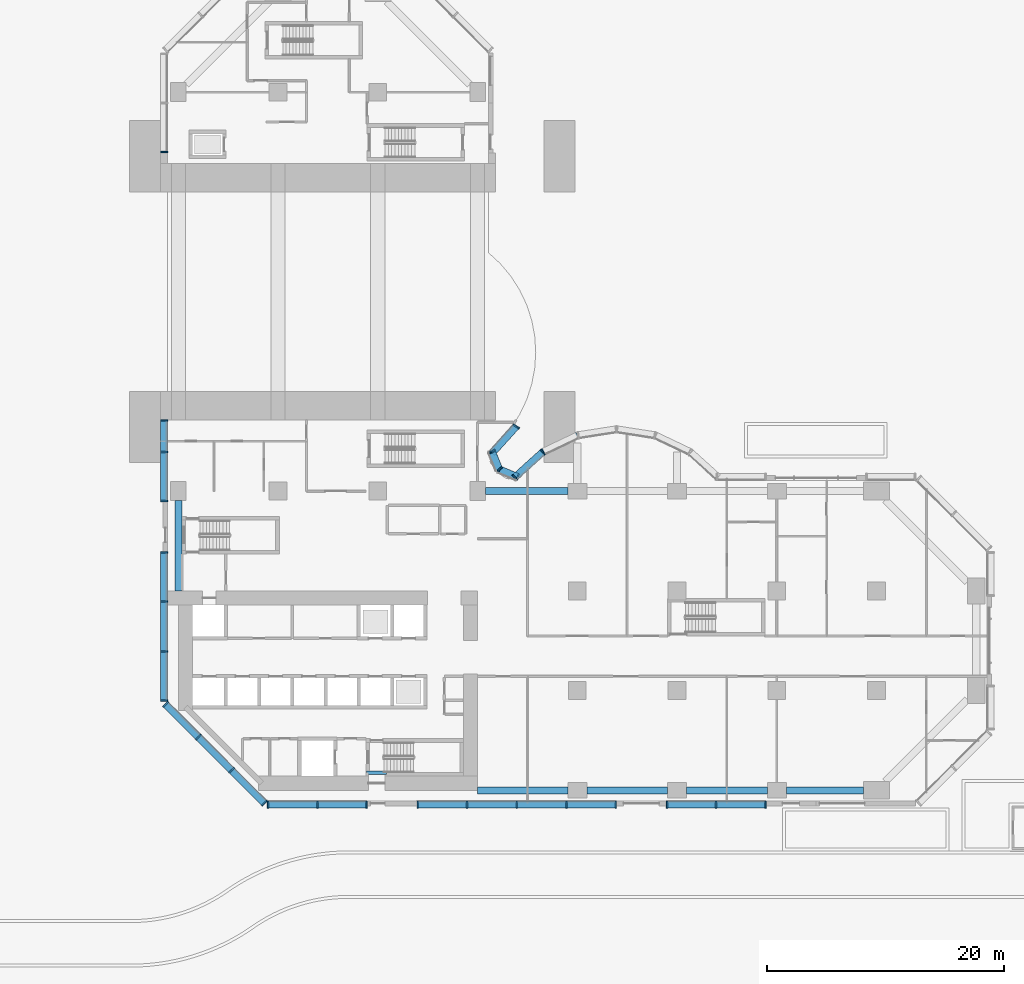
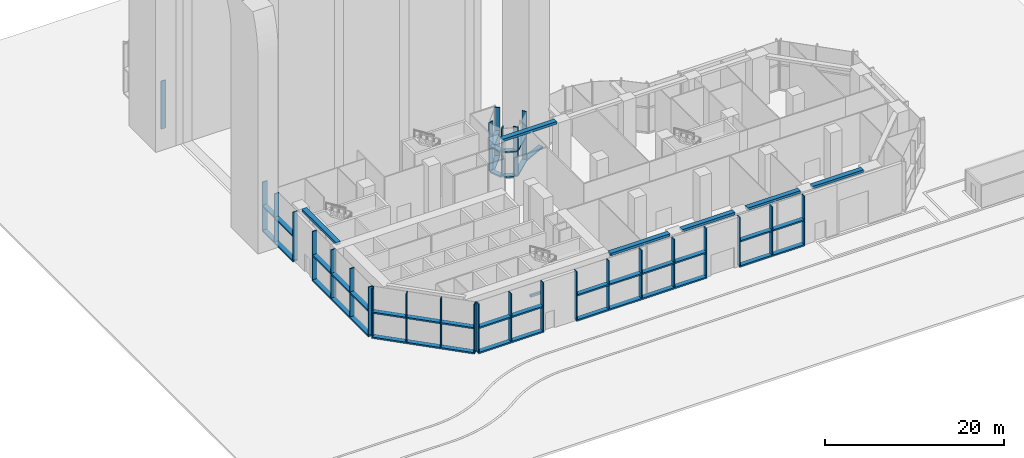
# One storey, part 2 of 21: 59 members, 7 beams, 10 elements without a shape of their own.
"""IFC4 building model written with IfcOpenShell, lengths in metres."""

from ifc_helpers import new_model, si_unit, direction, frame, origin, origin_2d, place, context, subcontext, project, spatial, rectangle, extrude, material, material_profile, profile_set, type_object, element, aggregate, save


model = new_model("IFC4")

# Units and contexts
model_context = context("Model", 3, precision=1e-05, world=origin(), true_north=direction((0.0, 1.0)))
body_context = subcontext(model_context, "Body", "Model", "MODEL_VIEW")
ifc_project = project(units=[si_unit("LENGTHUNIT", "METRE"), si_unit("AREAUNIT", "SQUARE_METRE"), si_unit("VOLUMEUNIT", "CUBIC_METRE"), si_unit("PLANEANGLEUNIT", "RADIAN"), si_unit("MASSUNIT", "GRAM", prefix="KILO")], contexts=[model_context])

# Site, building, storey
site_placement = place(None, origin())
site = spatial("IfcSite", under=ifc_project, at=site_placement, CompositionType="ELEMENT")
building_placement = place(site_placement, origin())
building = spatial("IfcBuilding", under=site, at=building_placement, Name="Brevane Broadcast Tower", CompositionType="ELEMENT")
storey_placement = place(building_placement, origin())
storey = spatial("IfcBuildingStorey", under=building, at=storey_placement, Name="L00", CompositionType="ELEMENT", Elevation=0.0)

# Curtain wall, members
ifc_material_1 = material(Name="Aluminium 6063-T6 bronze anodised", Category="aluminium")
curtain_wall_type = type_object("IfcCurtainWallType", Name="CW-6 curtain wall", PredefinedType="NOTDEFINED", material=ifc_material_1)
curtain_wall_1_placement = place(storey_placement, origin())
curtain_wall_1 = element("IfcCurtainWall", 1, at=curtain_wall_1_placement, inside=storey, type_object=curtain_wall_type, Name="CW-6 ground storey storefront unit L00 south face", PredefinedType="NOTDEFINED")
ifc_material_profile_1 = material_profile(ifc_material_1, rectangle(XDim=0.60009765625, YDim=0.1201171875, at=origin_2d()), Name="RECT 120x600")
ifc_profile_set_1 = profile_set([ifc_material_profile_1], Name="Aluminium 6063-T6 bronze anodised")
member_type_1 = type_object("IfcMemberType", Name="CW-6 mullion 120x600", PredefinedType="MULLION", material=ifc_profile_set_1)
member_1_placement = place(storey_placement, frame((7.56005859375, -1.199951171875, 0.199951171875), z_axis=(0.0, 0.0, 1.0), x_axis=(0.0, 1.0, 0.0)))
member_1 = element("IfcMember", 2, at=member_1_placement, type_object=member_type_1, Name="CW-6 mullion", PredefinedType="MULLION", context=body_context, shape_type="SweptSolid", body=[
    extrude(rectangle(XDim=0.60009765625, YDim=0.1201171875, at=origin_2d()), origin(), (0.0, 0.0, 1.0), 6.550048828125),
])
member_2_placement = place(storey_placement, frame((11.699951171875, -1.199951171875, 0.199951171875), z_axis=(0.0, 0.0, 1.0), x_axis=(0.0, 1.0, 0.0)))
member_2 = element("IfcMember", 3, at=member_2_placement, type_object=member_type_1, Name="CW-6 mullion", PredefinedType="MULLION", context=body_context, shape_type="SweptSolid", body=[
    extrude(rectangle(XDim=0.60009765625, YDim=0.1201171875, at=origin_2d()), origin(), (0.0, 0.0, 1.0), 6.550048828125),
])
member_3_placement = place(storey_placement, frame((15.840087890625, -1.199951171875, 0.199951171875), z_axis=(0.0, 0.0, 1.0), x_axis=(0.0, 1.0, 0.0)))
member_3 = element("IfcMember", 4, at=member_3_placement, type_object=member_type_1, Name="CW-6 mullion", PredefinedType="MULLION", context=body_context, shape_type="SweptSolid", body=[
    extrude(rectangle(XDim=0.60009765625, YDim=0.1201171875, at=origin_2d()), origin(), (0.0, 0.0, 1.0), 6.550048828125),
])

curtain_wall_2_placement = place(storey_placement, origin())
curtain_wall_2 = element("IfcCurtainWall", 5, at=curtain_wall_2_placement, inside=storey, type_object=curtain_wall_type, Name="CW-6 ground storey storefront unit L00 south face", PredefinedType="NOTDEFINED")
member_4_placement = place(storey_placement, frame((20.159912109375, -1.199951171875, 0.199951171875), z_axis=(0.0, 0.0, 1.0), x_axis=(0.0, 1.0, 0.0)))
member_4 = element("IfcMember", 6, at=member_4_placement, type_object=member_type_1, Name="CW-6 mullion", PredefinedType="MULLION", context=body_context, shape_type="SweptSolid", body=[
    extrude(rectangle(XDim=0.60009765625, YDim=0.1201171875, at=origin_2d()), origin(), (0.0, 0.0, 1.0), 6.550048828125),
])
member_5_placement = place(storey_placement, frame((24.300048828125, -1.199951171875, 0.199951171875), z_axis=(0.0, 0.0, 1.0), x_axis=(0.0, 1.0, 0.0)))
member_5 = element("IfcMember", 7, at=member_5_placement, type_object=member_type_1, Name="CW-6 mullion", PredefinedType="MULLION", context=body_context, shape_type="SweptSolid", body=[
    extrude(rectangle(XDim=0.60009765625, YDim=0.1201171875, at=origin_2d()), origin(), (0.0, 0.0, 1.0), 6.550048828125),
])
member_6_placement = place(storey_placement, frame((28.5, -1.199951171875, 0.199951171875), z_axis=(0.0, 0.0, 1.0), x_axis=(0.0, 1.0, 0.0)))
member_6 = element("IfcMember", 8, at=member_6_placement, type_object=member_type_1, Name="CW-6 mullion", PredefinedType="MULLION", context=body_context, shape_type="SweptSolid", body=[
    extrude(rectangle(XDim=0.60009765625, YDim=0.1201171875, at=origin_2d()), origin(), (0.0, 0.0, 1.0), 6.550048828125),
])
member_7_placement = place(storey_placement, frame((32.699951171875, -1.199951171875, 0.199951171875), z_axis=(0.0, 0.0, 1.0), x_axis=(0.0, 1.0, 0.0)))
member_7 = element("IfcMember", 9, at=member_7_placement, type_object=member_type_1, Name="CW-6 mullion", PredefinedType="MULLION", context=body_context, shape_type="SweptSolid", body=[
    extrude(rectangle(XDim=0.60009765625, YDim=0.1201171875, at=origin_2d()), origin(), (0.0, 0.0, 1.0), 6.550048828125),
])
member_8_placement = place(storey_placement, frame((36.840087890625, -1.199951171875, 0.199951171875), z_axis=(0.0, 0.0, 1.0), x_axis=(0.0, 1.0, 0.0)))
member_8 = element("IfcMember", 10, at=member_8_placement, type_object=member_type_1, Name="CW-6 mullion", PredefinedType="MULLION", context=body_context, shape_type="SweptSolid", body=[
    extrude(rectangle(XDim=0.60009765625, YDim=0.1201171875, at=origin_2d()), origin(), (0.0, 0.0, 1.0), 6.550048828125),
])

curtain_wall_3_placement = place(storey_placement, origin())
curtain_wall_3 = element("IfcCurtainWall", 11, at=curtain_wall_3_placement, inside=storey, type_object=curtain_wall_type, Name="CW-6 ground storey storefront unit L00 south face", PredefinedType="NOTDEFINED")
member_9_placement = place(storey_placement, frame((41.159912109375, -1.199951171875, 0.199951171875), z_axis=(0.0, 0.0, 1.0), x_axis=(0.0, 1.0, 0.0)))
member_9 = element("IfcMember", 12, at=member_9_placement, type_object=member_type_1, Name="CW-6 mullion", PredefinedType="MULLION", context=body_context, shape_type="SweptSolid", body=[
    extrude(rectangle(XDim=0.60009765625, YDim=0.1201171875, at=origin_2d()), origin(), (0.0, 0.0, 1.0), 6.550048828125),
])
member_10_placement = place(storey_placement, frame((45.300048828125, -1.199951171875, 0.199951171875), z_axis=(0.0, 0.0, 1.0), x_axis=(0.0, 1.0, 0.0)))
member_10 = element("IfcMember", 13, at=member_10_placement, type_object=member_type_1, Name="CW-6 mullion", PredefinedType="MULLION", context=body_context, shape_type="SweptSolid", body=[
    extrude(rectangle(XDim=0.60009765625, YDim=0.1201171875, at=origin_2d()), origin(), (0.0, 0.0, 1.0), 6.550048828125),
])
member_11_placement = place(storey_placement, frame((49.43994140625, -1.199951171875, 0.199951171875), z_axis=(0.0, 0.0, 1.0), x_axis=(0.0, 1.0, 0.0)))
member_11 = element("IfcMember", 14, at=member_11_placement, type_object=member_type_1, Name="CW-6 mullion", PredefinedType="MULLION", context=body_context, shape_type="SweptSolid", body=[
    extrude(rectangle(XDim=0.60009765625, YDim=0.1201171875, at=origin_2d()), origin(), (0.0, 0.0, 1.0), 6.550048828125),
])

curtain_wall_4_placement = place(storey_placement, origin())
curtain_wall_4 = element("IfcCurtainWall", 15, at=curtain_wall_4_placement, inside=storey, type_object=curtain_wall_type, Name="CW-6 ground storey storefront unit L00 east bow", PredefinedType="NOTDEFINED")
member_12_placement = place(storey_placement, frame((30.700927734375, 28.488525390625, 0.199951171875), z_axis=(0.0, 0.0, 1.0), x_axis=(0.555997481379, -0.831183975243, 0.0)))
member_12 = element("IfcMember", 16, at=member_12_placement, type_object=member_type_1, Name="CW-6 mullion", PredefinedType="MULLION", context=body_context, shape_type="SweptSolid", body=[
    extrude(rectangle(XDim=0.60009765625, YDim=0.1201171875, at=origin_2d()), origin(), (0.0, 0.0, 1.0), 6.550048828125),
])
member_13_placement = place(storey_placement, frame((28.343505859375, 26.36279296875, 0.199951171875), z_axis=(0.0, 0.0, 1.0), x_axis=(0.670368934758, -0.742027958578, 0.0)))
member_13 = element("IfcMember", 17, at=member_13_placement, type_object=member_type_1, Name="CW-6 mullion", PredefinedType="MULLION", context=body_context, shape_type="SweptSolid", body=[
    extrude(rectangle(XDim=0.60009765625, YDim=0.1201171875, at=origin_2d()), origin(), (0.0, 0.0, 1.0), 6.550048828125),
])

curtain_wall_5_placement = place(storey_placement, origin())
curtain_wall_5 = element("IfcCurtainWall", 18, at=curtain_wall_5_placement, inside=storey, type_object=curtain_wall_type, Name="CW-6 ground storey storefront unit L00 inner corner", PredefinedType="NOTDEFINED")
member_14_placement = place(storey_placement, frame((27.01513671875, 27.01513671875, 0.199951171875), z_axis=(0.0, 0.0, 1.0), x_axis=(-0.707106781187, -0.707106781187, 0.0)))
member_14 = element("IfcMember", 19, at=member_14_placement, type_object=member_type_1, Name="CW-6 mullion", PredefinedType="MULLION", context=body_context, shape_type="SweptSolid", body=[
    extrude(rectangle(XDim=0.60009765625, YDim=0.1201171875, at=origin_2d()), origin(), (0.0, 0.0, 1.0), 6.550048828125),
])
member_15_placement = place(storey_placement, frame((26.400146484375, 28.559326171875, 0.199951171875), z_axis=(0.0, 0.0, 1.0), x_axis=(-0.923879457699, -0.382683612978, 0.0)))
member_15 = element("IfcMember", 20, at=member_15_placement, type_object=member_type_1, Name="CW-6 mullion", PredefinedType="MULLION", context=body_context, shape_type="SweptSolid", body=[
    extrude(rectangle(XDim=0.60009765625, YDim=0.1201171875, at=origin_2d()), origin(), (0.0, 0.0, 1.0), 6.550048828125),
])

# Curtain wall, member
curtain_wall_6_placement = place(storey_placement, origin())
curtain_wall_6 = element("IfcCurtainWall", 21, at=curtain_wall_6_placement, inside=storey, type_object=curtain_wall_type, Name="CW-6 ground storey storefront unit L00 north bow", PredefinedType="NOTDEFINED")
member_16_placement = place(storey_placement, frame((28.455078125, 30.651123046875, 0.199951171875), z_axis=(0.0, 0.0, 1.0), x_axis=(-0.831183975243, 0.555997481379, 0.0)))
member_16 = element("IfcMember", 22, at=member_16_placement, type_object=member_type_1, Name="CW-6 mullion", PredefinedType="MULLION", context=body_context, shape_type="SweptSolid", body=[
    extrude(rectangle(XDim=0.60009765625, YDim=0.1201171875, at=origin_2d()), origin(), (0.0, 0.0, 1.0), 6.550048828125),
])

curtain_wall_7_placement = place(storey_placement, origin())
curtain_wall_7 = element("IfcCurtainWall", 23, at=curtain_wall_7_placement, inside=storey, type_object=curtain_wall_type, Name="CW-6 ground storey storefront unit L00 west face", PredefinedType="NOTDEFINED")
member_17_placement = place(storey_placement, frame((-1.199951171875, 53.760009765625, 0.199951171875), z_axis=(0.0, 0.0, 1.0), x_axis=(1.0, 0.0, 0.0)))
member_17 = element("IfcMember", 24, at=member_17_placement, type_object=member_type_1, Name="CW-6 mullion", PredefinedType="MULLION", context=body_context, shape_type="SweptSolid", body=[
    extrude(rectangle(XDim=0.60009765625, YDim=0.1201171875, at=origin_2d()), origin(), (0.0, 0.0, 1.0), 6.550048828125),
])
aggregate(curtain_wall_7, [member_17])

# Curtain wall, members
curtain_wall_8_placement = place(storey_placement, origin())
curtain_wall_8 = element("IfcCurtainWall", 25, at=curtain_wall_8_placement, inside=storey, type_object=curtain_wall_type, Name="CW-6 ground storey storefront unit L00 west face", PredefinedType="NOTDEFINED")
member_18_placement = place(storey_placement, frame((-1.199951171875, 31.139892578125, 0.199951171875), z_axis=(0.0, 0.0, 1.0), x_axis=(1.0, 0.0, 0.0)))
member_18 = element("IfcMember", 26, at=member_18_placement, type_object=member_type_1, Name="CW-6 mullion", PredefinedType="MULLION", context=body_context, shape_type="SweptSolid", body=[
    extrude(rectangle(XDim=0.60009765625, YDim=0.1201171875, at=origin_2d()), origin(), (0.0, 0.0, 1.0), 6.550048828125),
])
member_19_placement = place(storey_placement, frame((-1.199951171875, 28.5, 0.199951171875), z_axis=(0.0, 0.0, 1.0), x_axis=(1.0, 0.0, 0.0)))
member_19 = element("IfcMember", 27, at=member_19_placement, type_object=member_type_1, Name="CW-6 mullion", PredefinedType="MULLION", context=body_context, shape_type="SweptSolid", body=[
    extrude(rectangle(XDim=0.60009765625, YDim=0.1201171875, at=origin_2d()), origin(), (0.0, 0.0, 1.0), 6.550048828125),
])
member_20_placement = place(storey_placement, frame((-1.199951171875, 24.360107421875, 0.199951171875), z_axis=(0.0, 0.0, 1.0), x_axis=(1.0, 0.0, 0.0)))
member_20 = element("IfcMember", 28, at=member_20_placement, type_object=member_type_1, Name="CW-6 mullion", PredefinedType="MULLION", context=body_context, shape_type="SweptSolid", body=[
    extrude(rectangle(XDim=0.60009765625, YDim=0.1201171875, at=origin_2d()), origin(), (0.0, 0.0, 1.0), 6.550048828125),
])

curtain_wall_9_placement = place(storey_placement, origin())
curtain_wall_9 = element("IfcCurtainWall", 29, at=curtain_wall_9_placement, inside=storey, type_object=curtain_wall_type, Name="CW-6 ground storey storefront unit L00 west face", PredefinedType="NOTDEFINED")
member_21_placement = place(storey_placement, frame((-1.199951171875, 20.0400390625, 0.199951171875), z_axis=(0.0, 0.0, 1.0), x_axis=(1.0, 0.0, 0.0)))
member_21 = element("IfcMember", 30, at=member_21_placement, type_object=member_type_1, Name="CW-6 mullion", PredefinedType="MULLION", context=body_context, shape_type="SweptSolid", body=[
    extrude(rectangle(XDim=0.60009765625, YDim=0.1201171875, at=origin_2d()), origin(), (0.0, 0.0, 1.0), 6.550048828125),
])
member_22_placement = place(storey_placement, frame((-1.199951171875, 15.89990234375, 0.199951171875), z_axis=(0.0, 0.0, 1.0), x_axis=(1.0, 0.0, 0.0)))
member_22 = element("IfcMember", 31, at=member_22_placement, type_object=member_type_1, Name="CW-6 mullion", PredefinedType="MULLION", context=body_context, shape_type="SweptSolid", body=[
    extrude(rectangle(XDim=0.60009765625, YDim=0.1201171875, at=origin_2d()), origin(), (0.0, 0.0, 1.0), 6.550048828125),
])
member_23_placement = place(storey_placement, frame((-1.199951171875, 11.699951171875, 0.199951171875), z_axis=(0.0, 0.0, 1.0), x_axis=(1.0, 0.0, 0.0)))
member_23 = element("IfcMember", 32, at=member_23_placement, type_object=member_type_1, Name="CW-6 mullion", PredefinedType="MULLION", context=body_context, shape_type="SweptSolid", body=[
    extrude(rectangle(XDim=0.60009765625, YDim=0.1201171875, at=origin_2d()), origin(), (0.0, 0.0, 1.0), 6.550048828125),
])
member_24_placement = place(storey_placement, frame((-1.199951171875, 7.56005859375, 0.199951171875), z_axis=(0.0, 0.0, 1.0), x_axis=(1.0, 0.0, 0.0)))
member_24 = element("IfcMember", 33, at=member_24_placement, type_object=member_type_1, Name="CW-6 mullion", PredefinedType="MULLION", context=body_context, shape_type="SweptSolid", body=[
    extrude(rectangle(XDim=0.60009765625, YDim=0.1201171875, at=origin_2d()), origin(), (0.0, 0.0, 1.0), 6.550048828125),
])

curtain_wall_10_placement = place(storey_placement, origin())
curtain_wall_10 = element("IfcCurtainWall", 34, at=curtain_wall_10_placement, inside=storey, type_object=curtain_wall_type, Name="CW-6 ground storey storefront unit L00 south-west chamfer", PredefinedType="NOTDEFINED")
member_25_placement = place(storey_placement, frame((-1.06982421875, 7.245361328125, 0.199951171875), z_axis=(0.0, 0.0, 1.0), x_axis=(0.707106781187, 0.707106781187, 0.0)))
member_25 = element("IfcMember", 35, at=member_25_placement, type_object=member_type_1, Name="CW-6 mullion", PredefinedType="MULLION", context=body_context, shape_type="SweptSolid", body=[
    extrude(rectangle(XDim=0.60009765625, YDim=0.1201171875, at=origin_2d()), origin(), (0.0, 0.0, 1.0), 6.550048828125),
])
member_26_placement = place(storey_placement, frame((1.68798828125, 4.48779296875, 0.199951171875), z_axis=(0.0, 0.0, 1.0), x_axis=(0.707106781187, 0.707106781187, 0.0)))
member_26 = element("IfcMember", 36, at=member_26_placement, type_object=member_type_1, Name="CW-6 mullion", PredefinedType="MULLION", context=body_context, shape_type="SweptSolid", body=[
    extrude(rectangle(XDim=0.60009765625, YDim=0.1201171875, at=origin_2d()), origin(), (0.0, 0.0, 1.0), 6.550048828125),
])
member_27_placement = place(storey_placement, frame((4.48779296875, 1.68798828125, 0.199951171875), z_axis=(0.0, 0.0, 1.0), x_axis=(0.707106781187, 0.707106781187, 0.0)))
member_27 = element("IfcMember", 37, at=member_27_placement, type_object=member_type_1, Name="CW-6 mullion", PredefinedType="MULLION", context=body_context, shape_type="SweptSolid", body=[
    extrude(rectangle(XDim=0.60009765625, YDim=0.1201171875, at=origin_2d()), origin(), (0.0, 0.0, 1.0), 6.550048828125),
])
member_28_placement = place(storey_placement, frame((7.245361328125, -1.06982421875, 0.199951171875), z_axis=(0.0, 0.0, 1.0), x_axis=(0.707106781187, 0.707106781187, 0.0)))
member_28 = element("IfcMember", 38, at=member_28_placement, type_object=member_type_1, Name="CW-6 mullion", PredefinedType="MULLION", context=body_context, shape_type="SweptSolid", body=[
    extrude(rectangle(XDim=0.60009765625, YDim=0.1201171875, at=origin_2d()), origin(), (0.0, 0.0, 1.0), 6.550048828125),
])

# Member
ifc_material_profile_2 = material_profile(ifc_material_1, rectangle(XDim=0.60009765625, YDim=0.199951171875, at=origin_2d()), Name="RECT 200x600")
ifc_profile_set_2 = profile_set([ifc_material_profile_2], Name="Aluminium 6063-T6 bronze anodised")
member_type_2 = type_object("IfcMemberType", Name="CW-6 transom 200x600", PredefinedType="USERDEFINED", material=ifc_profile_set_2)
member_29_placement = place(storey_placement, frame((7.5, -1.199951171875, 0.10009765625), z_axis=(1.0, 0.0, 0.0), x_axis=(0.0, 1.0, 0.0)))
member_29 = element("IfcMember", 39, at=member_29_placement, type_object=member_type_2, Name="CW-6 transom", ObjectType="TRANSOM", PredefinedType="USERDEFINED", context=body_context, shape_type="SweptSolid", body=[
    extrude(rectangle(XDim=0.60009765625, YDim=0.199951171875, at=origin_2d()), origin(), (0.0, 0.0, 1.0), 8.39990234375),
])

member_30_placement = place(storey_placement, frame((7.56005859375, -1.199951171875, 3.5), z_axis=(1.0, 0.0, 0.0), x_axis=(0.0, 1.0, 0.0)))
member_30 = element("IfcMember", 40, at=member_30_placement, type_object=member_type_2, Name="CW-6 transom", ObjectType="TRANSOM", PredefinedType="USERDEFINED", context=body_context, shape_type="SweptSolid", body=[
    extrude(rectangle(XDim=0.60009765625, YDim=0.199951171875, at=origin_2d()), origin(), (0.0, 0.0, 1.0), 4.079833984375),
])

member_31_placement = place(storey_placement, frame((11.760009765625, -1.199951171875, 3.5), z_axis=(1.0, 0.0, 0.0), x_axis=(0.0, 1.0, 0.0)))
member_31 = element("IfcMember", 41, at=member_31_placement, type_object=member_type_2, Name="CW-6 transom", ObjectType="TRANSOM", PredefinedType="USERDEFINED", context=body_context, shape_type="SweptSolid", body=[
    extrude(rectangle(XDim=0.60009765625, YDim=0.199951171875, at=origin_2d()), origin(), (0.0, 0.0, 1.0), 4.080078125),
])

aggregate(curtain_wall_1, [member_1, member_2, member_3, member_29, member_30, member_31])

member_32_placement = place(storey_placement, frame((20.10009765625, -1.199951171875, 0.10009765625), z_axis=(1.0, 0.0, 0.0), x_axis=(0.0, 1.0, 0.0)))
member_32 = element("IfcMember", 42, at=member_32_placement, type_object=member_type_2, Name="CW-6 transom", ObjectType="TRANSOM", PredefinedType="USERDEFINED", context=body_context, shape_type="SweptSolid", body=[
    extrude(rectangle(XDim=0.60009765625, YDim=0.199951171875, at=origin_2d()), origin(), (0.0, 0.0, 1.0), 16.7998046875),
])

member_33_placement = place(storey_placement, frame((20.159912109375, -1.199951171875, 3.5), z_axis=(1.0, 0.0, 0.0), x_axis=(0.0, 1.0, 0.0)))
member_33 = element("IfcMember", 43, at=member_33_placement, type_object=member_type_2, Name="CW-6 transom", ObjectType="TRANSOM", PredefinedType="USERDEFINED", context=body_context, shape_type="SweptSolid", body=[
    extrude(rectangle(XDim=0.60009765625, YDim=0.199951171875, at=origin_2d()), origin(), (0.0, 0.0, 1.0), 4.080078125),
])

member_34_placement = place(storey_placement, frame((24.360107421875, -1.199951171875, 3.5), z_axis=(1.0, 0.0, 0.0), x_axis=(0.0, 1.0, 0.0)))
member_34 = element("IfcMember", 44, at=member_34_placement, type_object=member_type_2, Name="CW-6 transom", ObjectType="TRANSOM", PredefinedType="USERDEFINED", context=body_context, shape_type="SweptSolid", body=[
    extrude(rectangle(XDim=0.60009765625, YDim=0.199951171875, at=origin_2d()), origin(), (0.0, 0.0, 1.0), 4.079833984375),
])

member_35_placement = place(storey_placement, frame((28.56005859375, -1.199951171875, 3.5), z_axis=(1.0, 0.0, 0.0), x_axis=(0.0, 1.0, 0.0)))
member_35 = element("IfcMember", 45, at=member_35_placement, type_object=member_type_2, Name="CW-6 transom", ObjectType="TRANSOM", PredefinedType="USERDEFINED", context=body_context, shape_type="SweptSolid", body=[
    extrude(rectangle(XDim=0.60009765625, YDim=0.199951171875, at=origin_2d()), origin(), (0.0, 0.0, 1.0), 4.079833984375),
])

member_36_placement = place(storey_placement, frame((32.760009765625, -1.199951171875, 3.5), z_axis=(1.0, 0.0, 0.0), x_axis=(0.0, 1.0, 0.0)))
member_36 = element("IfcMember", 46, at=member_36_placement, type_object=member_type_2, Name="CW-6 transom", ObjectType="TRANSOM", PredefinedType="USERDEFINED", context=body_context, shape_type="SweptSolid", body=[
    extrude(rectangle(XDim=0.60009765625, YDim=0.199951171875, at=origin_2d()), origin(), (0.0, 0.0, 1.0), 4.080078125),
])

aggregate(curtain_wall_2, [member_4, member_5, member_6, member_7, member_8, member_32, member_33, member_34, member_35, member_36])

member_37_placement = place(storey_placement, frame((41.10009765625, -1.199951171875, 0.10009765625), z_axis=(1.0, 0.0, 0.0), x_axis=(0.0, 1.0, 0.0)))
member_37 = element("IfcMember", 47, at=member_37_placement, type_object=member_type_2, Name="CW-6 transom", ObjectType="TRANSOM", PredefinedType="USERDEFINED", context=body_context, shape_type="SweptSolid", body=[
    extrude(rectangle(XDim=0.60009765625, YDim=0.199951171875, at=origin_2d()), origin(), (0.0, 0.0, 1.0), 8.39990234375),
])

member_38_placement = place(storey_placement, frame((41.159912109375, -1.199951171875, 3.5), z_axis=(1.0, 0.0, 0.0), x_axis=(0.0, 1.0, 0.0)))
member_38 = element("IfcMember", 48, at=member_38_placement, type_object=member_type_2, Name="CW-6 transom", ObjectType="TRANSOM", PredefinedType="USERDEFINED", context=body_context, shape_type="SweptSolid", body=[
    extrude(rectangle(XDim=0.60009765625, YDim=0.199951171875, at=origin_2d()), origin(), (0.0, 0.0, 1.0), 4.080078125),
])

member_39_placement = place(storey_placement, frame((45.360107421875, -1.199951171875, 3.5), z_axis=(1.0, 0.0, 0.0), x_axis=(0.0, 1.0, 0.0)))
member_39 = element("IfcMember", 49, at=member_39_placement, type_object=member_type_2, Name="CW-6 transom", ObjectType="TRANSOM", PredefinedType="USERDEFINED", context=body_context, shape_type="SweptSolid", body=[
    extrude(rectangle(XDim=0.60009765625, YDim=0.199951171875, at=origin_2d()), origin(), (0.0, 0.0, 1.0), 4.079833984375),
])

aggregate(curtain_wall_3, [member_9, member_10, member_11, member_37, member_38, member_39])

member_40_placement = place(storey_placement, frame((33.617919921875, 29.880859375, 0.10009765625), z_axis=(-0.902881745307, -0.429889001942, 0.0), x_axis=(0.429889001942, -0.902881745307, 0.0)))
member_40 = element("IfcMember", 50, at=member_40_placement, type_object=member_type_2, Name="CW-6 transom", ObjectType="TRANSOM", PredefinedType="USERDEFINED", context=body_context, shape_type="SweptSolid", body=[
    extrude(rectangle(XDim=0.60009765625, YDim=0.199951171875, at=origin_2d()), origin(), (0.0, 0.0, 1.0), 3.18896484375),
])

member_41_placement = place(storey_placement, frame((30.6748046875, 28.468994140625, 0.10009765625), z_axis=(-0.742007303722, -0.670391796805, 0.0), x_axis=(0.670391796805, -0.742007303722, 0.0)))
member_41 = element("IfcMember", 51, at=member_41_placement, type_object=member_type_2, Name="CW-6 transom", ObjectType="TRANSOM", PredefinedType="USERDEFINED", context=body_context, shape_type="SweptSolid", body=[
    extrude(rectangle(XDim=0.60009765625, YDim=0.199951171875, at=origin_2d()), origin(), (0.0, 0.0, 1.0), 3.040771484375),
])

member_42_placement = place(storey_placement, frame((30.63037109375, 28.4287109375, 3.5), z_axis=(-0.742012070199, -0.670386521105, 0.0), x_axis=(0.670386521105, -0.742012070199, 0.0)))
member_42 = element("IfcMember", 52, at=member_42_placement, type_object=member_type_2, Name="CW-6 transom", ObjectType="TRANSOM", PredefinedType="USERDEFINED", context=body_context, shape_type="SweptSolid", body=[
    extrude(rectangle(XDim=0.60009765625, YDim=0.199951171875, at=origin_2d()), origin(), (0.0, 0.0, 1.0), 3.071044921875),
])

aggregate(curtain_wall_4, [member_12, member_13, member_40, member_41, member_42])

member_43_placement = place(storey_placement, frame((28.528076171875, 26.40673828125, 0.10009765625), z_axis=(-0.923883243627, 0.382674472816, 0.0), x_axis=(-0.382674472816, -0.923883243627, 0.0)))
member_43 = element("IfcMember", 53, at=member_43_placement, type_object=member_type_2, Name="CW-6 transom", ObjectType="TRANSOM", PredefinedType="USERDEFINED", context=body_context, shape_type="SweptSolid", body=[
    extrude(rectangle(XDim=0.60009765625, YDim=0.199951171875, at=origin_2d()), origin(), (0.0, 0.0, 1.0), 1.536865234375),
])

member_44_placement = place(storey_placement, frame((27.039794921875, 27.0, 0.10009765625), z_axis=(-0.382674472816, 0.923883243627, 0.0), x_axis=(-0.923883243627, -0.382674472816, 0.0)))
member_44 = element("IfcMember", 54, at=member_44_placement, type_object=member_type_2, Name="CW-6 transom", ObjectType="TRANSOM", PredefinedType="USERDEFINED", context=body_context, shape_type="SweptSolid", body=[
    extrude(rectangle(XDim=0.60009765625, YDim=0.199951171875, at=origin_2d()), origin(), (0.0, 0.0, 1.0), 1.536865234375),
])

member_45_placement = place(storey_placement, frame((28.611328125, 26.372314453125, 3.5), z_axis=(-0.923836568907, 0.382787139218, 0.0), x_axis=(-0.382787139218, -0.923836568907, 0.0)))
member_45 = element("IfcMember", 55, at=member_45_placement, type_object=member_type_2, Name="CW-6 transom", ObjectType="TRANSOM", PredefinedType="USERDEFINED", context=body_context, shape_type="SweptSolid", body=[
    extrude(rectangle(XDim=0.60009765625, YDim=0.199951171875, at=origin_2d()), origin(), (0.0, 0.0, 1.0), 1.717041015625),
])

member_46_placement = place(storey_placement, frame((27.07421875, 26.9169921875, 3.5), z_axis=(-0.382665770144, 0.923886848245, 0.0), x_axis=(-0.923886848245, -0.382665770144, 0.0)))
member_46 = element("IfcMember", 56, at=member_46_placement, type_object=member_type_2, Name="CW-6 transom", ObjectType="TRANSOM", PredefinedType="USERDEFINED", context=body_context, shape_type="SweptSolid", body=[
    extrude(rectangle(XDim=0.60009765625, YDim=0.199951171875, at=origin_2d()), origin(), (0.0, 0.0, 1.0), 1.716796875),
])

aggregate(curtain_wall_5, [member_14, member_15, member_43, member_44, member_45, member_46])

member_47_placement = place(storey_placement, frame((26.430419921875, 28.41845703125, 0.10009765625), z_axis=(0.670391796805, 0.742007303722, 0.0), x_axis=(-0.742007303722, 0.670391796805, 0.0)))
member_47 = element("IfcMember", 57, at=member_47_placement, type_object=member_type_2, Name="CW-6 transom", ObjectType="TRANSOM", PredefinedType="USERDEFINED", context=body_context, shape_type="SweptSolid", body=[
    extrude(rectangle(XDim=0.60009765625, YDim=0.199951171875, at=origin_2d()), origin(), (0.0, 0.0, 1.0), 3.040771484375),
])

member_48_placement = place(storey_placement, frame((26.369873046875, 28.3515625, 3.5), z_axis=(0.670386521105, 0.742012070199, 0.0), x_axis=(-0.742012070199, 0.670386521105, 0.0)))
member_48 = element("IfcMember", 58, at=member_48_placement, type_object=member_type_2, Name="CW-6 transom", ObjectType="TRANSOM", PredefinedType="USERDEFINED", context=body_context, shape_type="SweptSolid", body=[
    extrude(rectangle(XDim=0.60009765625, YDim=0.199951171875, at=origin_2d()), origin(), (0.0, 0.0, 1.0), 3.071044921875),
])

aggregate(curtain_wall_6, [member_16, member_47, member_48])

member_49_placement = place(storey_placement, frame((-1.199951171875, 31.199951171875, 0.10009765625), z_axis=(0.0, -1.0, 0.0), x_axis=(1.0, 0.0, 0.0)))
member_49 = element("IfcMember", 59, at=member_49_placement, type_object=member_type_2, Name="CW-6 transom", ObjectType="TRANSOM", PredefinedType="USERDEFINED", context=body_context, shape_type="SweptSolid", body=[
    extrude(rectangle(XDim=0.60009765625, YDim=0.199951171875, at=origin_2d()), origin(), (0.0, 0.0, 1.0), 6.89990234375),
])

member_50_placement = place(storey_placement, frame((-1.199951171875, 31.139892578125, 3.5), z_axis=(0.0, -1.0, 0.0), x_axis=(1.0, 0.0, 0.0)))
member_50 = element("IfcMember", 60, at=member_50_placement, type_object=member_type_2, Name="CW-6 transom", ObjectType="TRANSOM", PredefinedType="USERDEFINED", context=body_context, shape_type="SweptSolid", body=[
    extrude(rectangle(XDim=0.60009765625, YDim=0.199951171875, at=origin_2d()), origin(), (0.0, 0.0, 1.0), 2.579833984375),
])

member_51_placement = place(storey_placement, frame((-1.199951171875, 28.43994140625, 3.5), z_axis=(0.0, -1.0, 0.0), x_axis=(1.0, 0.0, 0.0)))
member_51 = element("IfcMember", 61, at=member_51_placement, type_object=member_type_2, Name="CW-6 transom", ObjectType="TRANSOM", PredefinedType="USERDEFINED", context=body_context, shape_type="SweptSolid", body=[
    extrude(rectangle(XDim=0.60009765625, YDim=0.199951171875, at=origin_2d()), origin(), (0.0, 0.0, 1.0), 4.079833984375),
])

aggregate(curtain_wall_8, [member_18, member_19, member_20, member_49, member_50, member_51])

member_52_placement = place(storey_placement, frame((-1.199951171875, 20.10009765625, 0.10009765625), z_axis=(0.0, -1.0, 0.0), x_axis=(1.0, 0.0, 0.0)))
member_52 = element("IfcMember", 62, at=member_52_placement, type_object=member_type_2, Name="CW-6 transom", ObjectType="TRANSOM", PredefinedType="USERDEFINED", context=body_context, shape_type="SweptSolid", body=[
    extrude(rectangle(XDim=0.60009765625, YDim=0.199951171875, at=origin_2d()), origin(), (0.0, 0.0, 1.0), 12.60009765625),
])

member_53_placement = place(storey_placement, frame((-1.199951171875, 20.0400390625, 3.5), z_axis=(0.0, -1.0, 0.0), x_axis=(1.0, 0.0, 0.0)))
member_53 = element("IfcMember", 63, at=member_53_placement, type_object=member_type_2, Name="CW-6 transom", ObjectType="TRANSOM", PredefinedType="USERDEFINED", context=body_context, shape_type="SweptSolid", body=[
    extrude(rectangle(XDim=0.60009765625, YDim=0.199951171875, at=origin_2d()), origin(), (0.0, 0.0, 1.0), 4.080078125),
])

member_54_placement = place(storey_placement, frame((-1.199951171875, 15.840087890625, 3.5), z_axis=(0.0, -1.0, 0.0), x_axis=(1.0, 0.0, 0.0)))
member_54 = element("IfcMember", 64, at=member_54_placement, type_object=member_type_2, Name="CW-6 transom", ObjectType="TRANSOM", PredefinedType="USERDEFINED", context=body_context, shape_type="SweptSolid", body=[
    extrude(rectangle(XDim=0.60009765625, YDim=0.199951171875, at=origin_2d()), origin(), (0.0, 0.0, 1.0), 4.080078125),
])

member_55_placement = place(storey_placement, frame((-1.199951171875, 11.639892578125, 3.5), z_axis=(0.0, -1.0, 0.0), x_axis=(1.0, 0.0, 0.0)))
member_55 = element("IfcMember", 65, at=member_55_placement, type_object=member_type_2, Name="CW-6 transom", ObjectType="TRANSOM", PredefinedType="USERDEFINED", context=body_context, shape_type="SweptSolid", body=[
    extrude(rectangle(XDim=0.60009765625, YDim=0.199951171875, at=origin_2d()), origin(), (0.0, 0.0, 1.0), 4.079833984375),
])

aggregate(curtain_wall_9, [member_21, member_22, member_23, member_24, member_52, member_53, member_54, member_55])

member_56_placement = place(storey_placement, frame((-1.112060546875, 7.287841796875, 0.10009765625), z_axis=(0.707106781187, -0.707106781187, 0.0), x_axis=(0.707106781187, 0.707106781187, 0.0)))
member_56 = element("IfcMember", 66, at=member_56_placement, type_object=member_type_2, Name="CW-6 transom", ObjectType="TRANSOM", PredefinedType="USERDEFINED", context=body_context, shape_type="SweptSolid", body=[
    extrude(rectangle(XDim=0.60009765625, YDim=0.199951171875, at=origin_2d()), origin(), (0.0, 0.0, 1.0), 11.879150390625),
])

member_57_placement = place(storey_placement, frame((-1.06982421875, 7.245361328125, 3.5), z_axis=(0.707138570553, -0.707074990391, 0.0), x_axis=(0.707074990391, 0.707138570553, 0.0)))
member_57 = element("IfcMember", 67, at=member_57_placement, type_object=member_type_2, Name="CW-6 transom", ObjectType="TRANSOM", PredefinedType="USERDEFINED", context=body_context, shape_type="SweptSolid", body=[
    extrude(rectangle(XDim=0.60009765625, YDim=0.199951171875, at=origin_2d()), origin(), (0.0, 0.0, 1.0), 3.83984375),
])

member_58_placement = place(storey_placement, frame((1.730224609375, 4.445556640625, 3.5), z_axis=(0.707106781187, -0.707106781187, 0.0), x_axis=(0.707106781187, 0.707106781187, 0.0)))
member_58 = element("IfcMember", 68, at=member_58_placement, type_object=member_type_2, Name="CW-6 transom", ObjectType="TRANSOM", PredefinedType="USERDEFINED", context=body_context, shape_type="SweptSolid", body=[
    extrude(rectangle(XDim=0.60009765625, YDim=0.199951171875, at=origin_2d()), origin(), (0.0, 0.0, 1.0), 3.840087890625),
])

member_59_placement = place(storey_placement, frame((4.5302734375, 1.6455078125, 3.5), z_axis=(0.707074990391, -0.707138570553, 0.0), x_axis=(0.707138570553, 0.707074990391, 0.0)))
member_59 = element("IfcMember", 69, at=member_59_placement, type_object=member_type_2, Name="CW-6 transom", ObjectType="TRANSOM", PredefinedType="USERDEFINED", context=body_context, shape_type="SweptSolid", body=[
    extrude(rectangle(XDim=0.60009765625, YDim=0.199951171875, at=origin_2d()), origin(), (0.0, 0.0, 1.0), 3.83984375),
])

aggregate(curtain_wall_10, [member_25, member_26, member_27, member_28, member_56, member_57, member_58, member_59])

# Beams
ifc_material_2 = material(Name="Concrete C40/50", Category="concrete")
ifc_material_profile_3 = material_profile(ifc_material_2, rectangle(XDim=0.60009765625, YDim=0.35009765625, at=origin_2d()), Name="RC 600x350")
ifc_profile_set_3 = profile_set([ifc_material_profile_3], Name="Concrete C40/50")
beam_type_1 = type_object("IfcBeamType", Name="RC SPANDREL BEAM 600x350 C40/50", PredefinedType="SPANDREL", material=ifc_profile_set_3)
beam_1_placement = place(storey_placement, frame((25.199951171875, 0.0, 6.574951171875), z_axis=(1.0, 0.0, 0.0), x_axis=(0.0, 1.0, 0.0)))
element("IfcBeam", 70, at=beam_1_placement, inside=storey, type_object=beam_type_1, Name="EB1 L00-1", PredefinedType="SPANDREL", context=body_context, shape_type="SweptSolid", body=[
    extrude(rectangle(XDim=0.60009765625, YDim=0.35009765625, at=origin_2d()), origin(), (0.0, 0.0, 1.0), 7.60009765625),
])
for number, where, z_axis, x_axis, name in (
    (71, (34.39990234375, 0.0, 6.574951171875), (1.0, 0.0, 0.0), (0.0, 1.0, 0.0), "EB1 L00-2"),
    (72, (42.800048828125, 0.0, 6.574951171875), (1.0, 0.0, 0.0), (0.0, 1.0, 0.0), "EB1 L00-3"),
):
    element("IfcBeam", number, at=place(storey_placement, frame(where, z_axis=z_axis, x_axis=x_axis)), inside=storey, type_object=beam_type_1, Name=name, PredefinedType="SPANDREL", context=body_context, shape_type="SweptSolid", body=[
        extrude(rectangle(XDim=0.60009765625, YDim=0.35009765625, at=origin_2d()), origin(), (0.0, 0.0, 1.0), 6.800048828125),
    ])
beam_2_placement = place(storey_placement, frame((51.199951171875, 0.0, 6.574951171875), z_axis=(1.0, 0.0, 0.0), x_axis=(0.0, 1.0, 0.0)))
element("IfcBeam", 73, at=beam_2_placement, inside=storey, type_object=beam_type_1, Name="EB1 L00-4", PredefinedType="SPANDREL", context=body_context, shape_type="SweptSolid", body=[
    extrude(rectangle(XDim=0.60009765625, YDim=0.35009765625, at=origin_2d()), origin(), (0.0, 0.0, 1.0), 6.5),
])
beam_3_placement = place(storey_placement, frame((32.800048828125, 25.199951171875, 6.574951171875), z_axis=(-1.0, 0.0, 0.0), x_axis=(0.0, -1.0, 0.0)))
element("IfcBeam", 74, at=beam_3_placement, inside=storey, type_object=beam_type_1, Name="EB1 L00-11", PredefinedType="SPANDREL", context=body_context, shape_type="SweptSolid", body=[
    extrude(rectangle(XDim=0.60009765625, YDim=0.35009765625, at=origin_2d()), origin(), (0.0, 0.0, 1.0), 6.949951171875),
])
beam_4_placement = place(storey_placement, frame((0.0, 24.39990234375, 6.574951171875), z_axis=(0.0, -1.0, 0.0), x_axis=(1.0, 0.0, 0.0)))
element("IfcBeam", 75, at=beam_4_placement, inside=storey, type_object=beam_type_1, Name="EB1 L00-15", PredefinedType="SPANDREL", context=body_context, shape_type="SweptSolid", body=[
    extrude(rectangle(XDim=0.60009765625, YDim=0.35009765625, at=origin_2d()), origin(), (0.0, 0.0, 1.0), 7.599853515625),
])
ifc_material_profile_4 = material_profile(ifc_material_2, rectangle(XDim=0.300048828125, YDim=0.300048828125, at=origin_2d()), Name="RC 300x300")
ifc_profile_set_4 = profile_set([ifc_material_profile_4], Name="Concrete C40/50")
beam_type_2 = type_object("IfcBeamType", Name="RC lintel beam 300x300 C40/50", PredefinedType="BEAM", material=ifc_profile_set_4)
beam_5_placement = place(storey_placement, frame((15.85009765625, 1.5, 3.14990234375), z_axis=(1.0, 0.0, 0.0), x_axis=(0.0, 1.0, 0.0)))
element("IfcBeam", 76, at=beam_5_placement, inside=storey, type_object=beam_type_2, Name="Lintel beam ST-2 exit", PredefinedType="BEAM", context=body_context, shape_type="SweptSolid", body=[
    extrude(rectangle(XDim=0.300048828125, YDim=0.300048828125, at=origin_2d()), origin(), (0.0, 0.0, 1.0), 1.699951171875),
])

save(model, "model.ifc")
